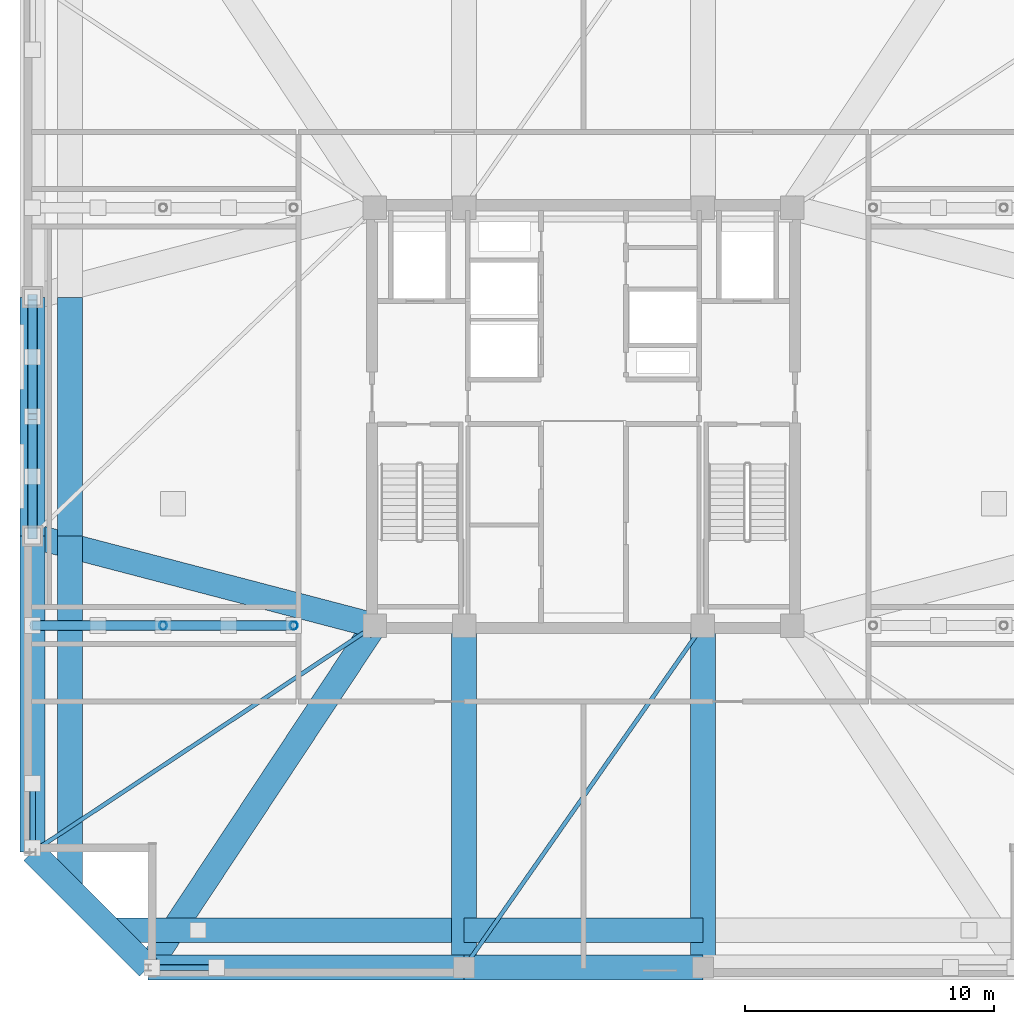
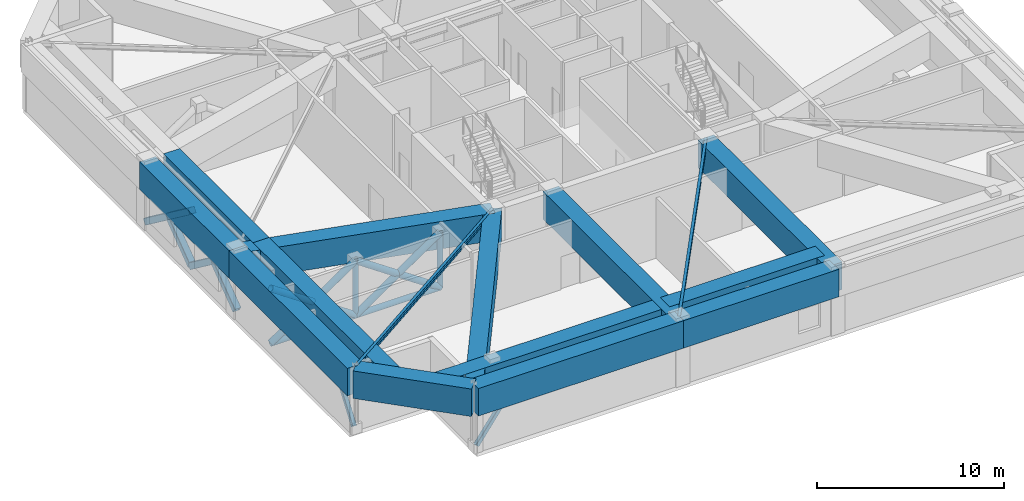
# One storey, part 6 of 17: 17 members, 15 beams.
"""IFC4 building model written with IfcOpenShell, lengths in metres."""

from ifc_helpers import new_model, si_unit, direction, frame, origin, origin_2d, place, context, subcontext, project, spatial, rectangle, hollow_rectangle, hollow_circle, i_section, extrude, material, material_profile, profile_set, type_object, element, save


model = new_model("IFC4")

# Units and contexts
model_context = context("Model", 3, precision=1e-05, world=origin(), true_north=direction((0.0, 1.0)))
body_context = subcontext(model_context, "Body", "Model", "MODEL_VIEW")
ifc_project = project(units=[si_unit("LENGTHUNIT", "METRE"), si_unit("AREAUNIT", "SQUARE_METRE"), si_unit("VOLUMEUNIT", "CUBIC_METRE"), si_unit("PLANEANGLEUNIT", "RADIAN"), si_unit("MASSUNIT", "GRAM", prefix="KILO")], contexts=[model_context])

# Site, building, storey
site_placement = place(None, origin())
site = spatial("IfcSite", under=ifc_project, at=site_placement, CompositionType="ELEMENT")
building_placement = place(site_placement, origin())
building = spatial("IfcBuilding", under=site, at=building_placement, Name="Cairnveth Concourse Tower", CompositionType="ELEMENT")
storey_placement = place(building_placement, frame((0.0, 0.0, 276.0)))
storey = spatial("IfcBuildingStorey", under=building, at=storey_placement, Name="L76", CompositionType="ELEMENT", Elevation=276.0)

# Members
ifc_material_1 = material(Name="Steel C350L0 (350 MPa)", Category="steel")
ifc_material_profile_1 = material_profile(ifc_material_1, hollow_circle(Radius=0.177734375, WallThickness=0.01611328125, at=origin_2d()), Name="355.6x16.0CHS")
ifc_profile_set_1 = profile_set([ifc_material_profile_1], Name="Steel C350L0 (350 MPa)")
member_type_1 = type_object("IfcMemberType", Name="BELT TRUSS CHORD 355.6X16CHS", PredefinedType="CHORD", material=ifc_profile_set_1)
member_1_placement = place(storey_placement, frame((29.85009765625, 30.60009765625, 0.25), z_axis=(1.0, 0.0, 0.0), x_axis=(0.0, 1.0, 0.0)))
element("IfcMember", 1, at=member_1_placement, inside=storey, type_object=member_type_1, Name="Structural Brace OUT-OW1A-CH L76", PredefinedType="CHORD", context=body_context, shape_type="SweptSolid", body=[
    extrude(hollow_circle(Radius=0.177734375, WallThickness=0.01611328125, at=origin_2d()), origin(), (0.0, 0.0, 1.0), 10.5),
])
ifc_material_profile_2 = material_profile(ifc_material_1, hollow_rectangle(XDim=0.39990234375, YDim=0.39990234375, WallThickness=0.01611328125, InnerFilletRadius=0.01611328125, OuterFilletRadius=0.031982421875, at=origin_2d()), Name="400x400x16.0SHS")
ifc_profile_set_2 = profile_set([ifc_material_profile_2], Name="Steel C350L0 (350 MPa)")
member_type_2 = type_object("IfcMemberType", Name="BELT TRUSS DIAGONAL 400X400X16SHS", PredefinedType="BRACE", material=ifc_profile_set_2)
member_2_placement = place(storey_placement, frame((29.85009765625, 34.199951171875, 0.25), z_axis=(0.0, 0.800795977004, 0.598937228109), x_axis=(-1.0, 0.0, 0.0)))
element("IfcMember", 2, at=member_2_placement, inside=storey, type_object=member_type_2, Name="Structural Brace BLT-BW1A L76", PredefinedType="BRACE", context=body_context, shape_type="SweptSolid", body=[
    extrude(hollow_rectangle(XDim=0.39990234375, YDim=0.39990234375, WallThickness=0.01611328125, InnerFilletRadius=0.01611328125, OuterFilletRadius=0.031982421875, at=origin_2d()), origin(), (0.0, 0.0, 1.0), 5.994140625),
])
for number, where, z_axis, x_axis, name in (
    (3, (29.85009765625, 39.0, 0.25), (0.0, -0.800814731391, 0.598912152145), (1.0, 0.0, 0.0), "Structural Brace BLT-BW1B1 L76"),
    (4, (29.85009765625, 36.587890625, 2.053955078125), (0.0, -0.800775463126, 0.598964654763), (1.0, 0.0, 0.0), "Structural Brace BLT-BW1B2 L76"),
):
    element("IfcMember", number, at=place(storey_placement, frame(where, z_axis=z_axis, x_axis=x_axis)), inside=storey, type_object=member_type_2, Name=name, PredefinedType="BRACE", context=body_context, shape_type="SweptSolid", body=[
        extrude(hollow_rectangle(XDim=0.39990234375, YDim=0.39990234375, WallThickness=0.01611328125, InnerFilletRadius=0.01611328125, OuterFilletRadius=0.031982421875, at=origin_2d()), origin(), (0.0, 0.0, 1.0), 2.98193359375),
    ])
member_3_placement = place(storey_placement, frame((29.85009765625, 39.0, 0.25), z_axis=(0.0, 0.800795977004, 0.598937228109), x_axis=(-1.0, 0.0, 0.0)))
element("IfcMember", 5, at=member_3_placement, inside=storey, type_object=member_type_2, Name="Structural Brace BLT-BW2A L76", PredefinedType="BRACE", context=body_context, shape_type="SweptSolid", body=[
    extrude(hollow_rectangle(XDim=0.39990234375, YDim=0.39990234375, WallThickness=0.01611328125, InnerFilletRadius=0.01611328125, OuterFilletRadius=0.031982421875, at=origin_2d()), origin(), (0.0, 0.0, 1.0), 5.994140625),
])
for number, where, z_axis, x_axis, name in (
    (6, (29.85009765625, 43.800048828125, 0.25), (0.0, -0.800814731391, 0.598912152145), (1.0, 0.0, 0.0), "Structural Brace BLT-BW2B1 L76"),
    (7, (29.85009765625, 41.387939453125, 2.053955078125), (0.0, -0.800775463126, 0.598964654763), (1.0, 0.0, 0.0), "Structural Brace BLT-BW2B2 L76"),
):
    element("IfcMember", number, at=place(storey_placement, frame(where, z_axis=z_axis, x_axis=x_axis)), inside=storey, type_object=member_type_2, Name=name, PredefinedType="BRACE", context=body_context, shape_type="SweptSolid", body=[
        extrude(hollow_rectangle(XDim=0.39990234375, YDim=0.39990234375, WallThickness=0.01611328125, InnerFilletRadius=0.01611328125, OuterFilletRadius=0.031982421875, at=origin_2d()), origin(), (0.0, 0.0, 1.0), 2.98193359375),
    ])

# Beams
ifc_material_2 = material(Name="Concrete N65 (65 MPa)", Category="concrete")
ifc_material_profile_3 = material_profile(ifc_material_2, rectangle(XDim=1.0, YDim=1.800048828125, at=origin_2d()), Name="RC-TB-1000x1800")
ifc_profile_set_3 = profile_set([ifc_material_profile_3], Name="Concrete N65 (65 MPa)")
beam_type_1 = type_object("IfcBeamType", Name="CONCRETE TRANSFER GIRDER 1000X1800", PredefinedType="BEAM", material=ifc_profile_set_3)
beam_1_placement = place(storey_placement, frame((34.5, 16.85009765625, 3.389892578125), z_axis=(1.0, 0.0, 0.0), x_axis=(0.0, 1.0, 0.0)))
element("IfcBeam", 8, at=beam_1_placement, inside=storey, type_object=beam_type_1, Name="Beam SP-S1 L76", PredefinedType="BEAM", context=body_context, shape_type="SweptSolid", body=[
    extrude(rectangle(XDim=1.0, YDim=1.800048828125, at=origin_2d()), origin(), (0.0, 0.0, 1.0), 12.699951171875),
])
beam_2_placement = place(storey_placement, frame((47.199951171875, 16.85009765625, 3.389892578125), z_axis=(1.0, 0.0, 0.0), x_axis=(0.0, 1.0, 0.0)))
element("IfcBeam", 9, at=beam_2_placement, inside=storey, type_object=beam_type_1, Name="Beam SP-S2 L76", PredefinedType="BEAM", context=body_context, shape_type="SweptSolid", body=[
    extrude(rectangle(XDim=1.0, YDim=1.800048828125, at=origin_2d()), origin(), (0.0, 0.0, 1.0), 9.60009765625),
])
beam_3_placement = place(storey_placement, frame((29.85009765625, 21.5, 3.389892578125), z_axis=(0.0, 1.0, 0.0), x_axis=(-1.0, 0.0, 0.0)))
element("IfcBeam", 10, at=beam_3_placement, inside=storey, type_object=beam_type_1, Name="Beam SP-W1 L76", PredefinedType="BEAM", context=body_context, shape_type="SweptSolid", body=[
    extrude(rectangle(XDim=1.0, YDim=1.800048828125, at=origin_2d()), origin(), (0.0, 0.0, 1.0), 12.699951171875),
])
beam_4_placement = place(storey_placement, frame((29.85009765625, 34.199951171875, 3.389892578125), z_axis=(0.0, 1.0, 0.0), x_axis=(-1.0, 0.0, 0.0)))
element("IfcBeam", 11, at=beam_4_placement, inside=storey, type_object=beam_type_1, Name="Beam SP-W2 L76", PredefinedType="BEAM", context=body_context, shape_type="SweptSolid", body=[
    extrude(rectangle(XDim=1.0, YDim=1.800048828125, at=origin_2d()), origin(), (0.0, 0.0, 1.0), 9.60009765625),
])
beam_5_placement = place(storey_placement, frame((29.85009765625, 21.5, 3.389892578125), z_axis=(0.707106781187, -0.707106781187, 0.0), x_axis=(0.707106781187, 0.707106781187, 0.0)))
element("IfcBeam", 12, at=beam_5_placement, inside=storey, type_object=beam_type_1, Name="Beam SP-SW L76", PredefinedType="BEAM", context=body_context, shape_type="SweptSolid", body=[
    extrude(rectangle(XDim=1.0, YDim=1.800048828125, at=origin_2d()), origin(), (0.0, 0.0, 1.0), 6.575927734375),
])
beam_6_placement = place(storey_placement, frame((34.5, 16.85009765625, 3.389892578125), z_axis=(0.551902031848, 0.833908956207, 0.0), x_axis=(-0.833908956207, 0.551902031848, 0.0)))
element("IfcBeam", 13, at=beam_6_placement, inside=storey, type_object=beam_type_1, Name="Beam RG-CSW L76", PredefinedType="BEAM", context=body_context, shape_type="SweptSolid", body=[
    extrude(rectangle(XDim=1.0, YDim=1.800048828125, at=origin_2d()), origin(), (0.0, 0.0, 1.0), 16.488525390625),
])
for number, where, z_axis, x_axis, name in (
    (14, (47.199951171875, 16.85009765625, 3.389892578125), (0.0, 1.0, 0.0), (-1.0, 0.0, 0.0), "Beam RG-S1 L76"),
    (15, (56.800048828125, 16.85009765625, 3.389892578125), (0.0, 1.0, 0.0), (-1.0, 0.0, 0.0), "Beam RG-S2 L76"),
):
    element("IfcBeam", number, at=place(storey_placement, frame(where, z_axis=z_axis, x_axis=x_axis)), inside=storey, type_object=beam_type_1, Name=name, PredefinedType="BEAM", context=body_context, shape_type="SweptSolid", body=[
        extrude(rectangle(XDim=1.0, YDim=1.800048828125, at=origin_2d()), origin(), (0.0, 0.0, 1.0), 13.75),
    ])
beam_7_placement = place(storey_placement, frame((29.85009765625, 34.199951171875, 3.389892578125), z_axis=(0.967395273598, -0.253271365575, 0.0), x_axis=(0.253271365575, 0.967395273598, 0.0)))
element("IfcBeam", 16, at=beam_7_placement, inside=storey, type_object=beam_type_1, Name="Beam RG-W1 L76", PredefinedType="BEAM", context=body_context, shape_type="SweptSolid", body=[
    extrude(rectangle(XDim=1.0, YDim=1.800048828125, at=origin_2d()), origin(), (0.0, 0.0, 1.0), 14.21337890625),
])
beam_8_placement = place(storey_placement, frame((33.0, 18.35009765625, 3.389892578125), z_axis=(1.0, 0.0, 0.0), x_axis=(0.0, 1.0, 0.0)))
element("IfcBeam", 17, at=beam_8_placement, inside=storey, type_object=beam_type_1, Name="Beam STG-S1 L76", PredefinedType="BEAM", context=body_context, shape_type="SweptSolid", body=[
    extrude(rectangle(XDim=1.0, YDim=1.800048828125, at=origin_2d()), origin(), (0.0, 0.0, 1.0), 14.199951171875),
])
beam_9_placement = place(storey_placement, frame((47.199951171875, 18.35009765625, 3.389892578125), z_axis=(1.0, 0.0, 0.0), x_axis=(0.0, 1.0, 0.0)))
element("IfcBeam", 18, at=beam_9_placement, inside=storey, type_object=beam_type_1, Name="Beam STG-S2 L76", PredefinedType="BEAM", context=body_context, shape_type="SweptSolid", body=[
    extrude(rectangle(XDim=1.0, YDim=1.800048828125, at=origin_2d()), origin(), (0.0, 0.0, 1.0), 9.60009765625),
])
beam_10_placement = place(storey_placement, frame((31.35009765625, 20.0, 3.389892578125), z_axis=(0.0, 1.0, 0.0), x_axis=(-1.0, 0.0, 0.0)))
element("IfcBeam", 19, at=beam_10_placement, inside=storey, type_object=beam_type_1, Name="Beam STG-W1 L76", PredefinedType="BEAM", context=body_context, shape_type="SweptSolid", body=[
    extrude(rectangle(XDim=1.0, YDim=1.800048828125, at=origin_2d()), origin(), (0.0, 0.0, 1.0), 14.199951171875),
])
beam_11_placement = place(storey_placement, frame((31.35009765625, 34.199951171875, 3.389892578125), z_axis=(0.0, 1.0, 0.0), x_axis=(-1.0, 0.0, 0.0)))
element("IfcBeam", 20, at=beam_11_placement, inside=storey, type_object=beam_type_1, Name="Beam STG-W2 L76", PredefinedType="BEAM", context=body_context, shape_type="SweptSolid", body=[
    extrude(rectangle(XDim=1.0, YDim=1.800048828125, at=origin_2d()), origin(), (0.0, 0.0, 1.0), 9.60009765625),
])

# Members
ifc_material_profile_4 = material_profile(ifc_material_1, hollow_circle(Radius=0.203125, WallThickness=0.01611328125, at=origin_2d()), Name="406.4x16.0CHS")
ifc_profile_set_4 = profile_set([ifc_material_profile_4], Name="Steel C350L0 (350 MPa)")
member_type_3 = type_object("IfcMemberType", Name="OUTRIGGER DIAGONAL 406.4X16CHS", PredefinedType="BRACE", material=ifc_profile_set_4)
member_4_placement = place(storey_placement, frame((29.85009765625, 30.60009765625, 0.25), z_axis=(0.825455055734, 0.0, 0.56446784759), x_axis=(0.0, 1.0, 0.0)))
element("IfcMember", 21, at=member_4_placement, inside=storey, type_object=member_type_3, Name="Structural Brace OUT-OW1A-P1A L76", PredefinedType="BRACE", context=body_context, shape_type="SweptSolid", body=[
    extrude(hollow_circle(Radius=0.203125, WallThickness=0.01611328125, at=origin_2d()), origin(), (0.0, 0.0, 1.0), 6.360107421875),
])
member_5_placement = place(storey_placement, frame((29.85009765625, 30.60009765625, 3.840087890625), z_axis=(0.825441572471, 0.0, -0.564487564465), x_axis=(0.0, 1.0, 0.0)))
element("IfcMember", 22, at=member_5_placement, inside=storey, type_object=member_type_3, Name="Structural Brace OUT-OW1A-P1B1 L76", PredefinedType="BRACE", context=body_context, shape_type="SweptSolid", body=[
    extrude(hollow_circle(Radius=0.203125, WallThickness=0.01611328125, at=origin_2d()), origin(), (0.0, 0.0, 1.0), 3.1650390625),
])
member_6_placement = place(storey_placement, frame((32.4873046875, 30.60009765625, 2.03662109375), z_axis=(0.825466149493, 0.0, -0.564451624181), x_axis=(0.0, 1.0, 0.0)))
element("IfcMember", 23, at=member_6_placement, inside=storey, type_object=member_type_3, Name="Structural Brace OUT-OW1A-P1B2 L76", PredefinedType="BRACE", context=body_context, shape_type="SweptSolid", body=[
    extrude(hollow_circle(Radius=0.203125, WallThickness=0.01611328125, at=origin_2d()), origin(), (0.0, 0.0, 1.0), 3.165283203125),
])
member_7_placement = place(storey_placement, frame((35.10009765625, 30.60009765625, 0.25), z_axis=(0.825455055734, 0.0, 0.56446784759), x_axis=(0.0, 1.0, 0.0)))
element("IfcMember", 24, at=member_7_placement, inside=storey, type_object=member_type_3, Name="Structural Brace OUT-OW1A-P2A L76", PredefinedType="BRACE", context=body_context, shape_type="SweptSolid", body=[
    extrude(hollow_circle(Radius=0.203125, WallThickness=0.01611328125, at=origin_2d()), origin(), (0.0, 0.0, 1.0), 6.360107421875),
])
member_8_placement = place(storey_placement, frame((35.10009765625, 30.60009765625, 3.840087890625), z_axis=(0.825441572471, 0.0, -0.564487564465), x_axis=(0.0, 1.0, 0.0)))
element("IfcMember", 25, at=member_8_placement, inside=storey, type_object=member_type_3, Name="Structural Brace OUT-OW1A-P2B1 L76", PredefinedType="BRACE", context=body_context, shape_type="SweptSolid", body=[
    extrude(hollow_circle(Radius=0.203125, WallThickness=0.01611328125, at=origin_2d()), origin(), (0.0, 0.0, 1.0), 3.1650390625),
])
member_9_placement = place(storey_placement, frame((37.7373046875, 30.60009765625, 2.03662109375), z_axis=(0.825466149493, 0.0, -0.564451624181), x_axis=(0.0, 1.0, 0.0)))
element("IfcMember", 26, at=member_9_placement, inside=storey, type_object=member_type_3, Name="Structural Brace OUT-OW1A-P2B2 L76", PredefinedType="BRACE", context=body_context, shape_type="SweptSolid", body=[
    extrude(hollow_circle(Radius=0.203125, WallThickness=0.01611328125, at=origin_2d()), origin(), (0.0, 0.0, 1.0), 3.165283203125),
])
ifc_material_profile_5 = material_profile(ifc_material_1, hollow_circle(Radius=0.161865234375, WallThickness=0.0126953125, at=origin_2d()), Name="323.9x12.7CHS")
ifc_profile_set_5 = profile_set([ifc_material_profile_5], Name="Steel C350L0 (350 MPa)")
member_type_4 = type_object("IfcMemberType", Name="OUTRIGGER KING STRUT 323.9X12.7CHS", PredefinedType="STRUT", material=ifc_profile_set_5)
for number, where, z_axis, x_axis, name in (
    (27, (35.10009765625, 30.60009765625, 0.25), (0.0, 0.0, 1.0), (1.0, 0.0, 0.0), "Structural Brace OUT-OW1A-SR L76"),
    (28, (40.35009765625, 30.60009765625, 0.25), (0.0, 0.0, 1.0), (1.0, 0.0, 0.0), "Structural Brace OUT-OW1A-SRE L76"),
):
    element("IfcMember", number, at=place(storey_placement, frame(where, z_axis=z_axis, x_axis=x_axis)), inside=storey, type_object=member_type_4, Name=name, PredefinedType="STRUT", context=body_context, shape_type="SweptSolid", body=[
        extrude(hollow_circle(Radius=0.161865234375, WallThickness=0.0126953125, at=origin_2d()), origin(), (0.0, 0.0, 1.0), 3.590087890625),
    ])

# Beams
ifc_material_3 = material(Name="Steel Grade 350", Category="steel")
ifc_material_profile_6 = material_profile(ifc_material_3, i_section(OverallWidth=0.166015625, OverallDepth=0.306884765625, WebThickness=0.006591796875, FlangeThickness=0.01171875, FilletRadius=0.010986328125, at=origin_2d()), Name="310UB46.2")
ifc_profile_set_6 = profile_set([ifc_material_profile_6], Name="Steel Grade 350")
beam_type_2 = type_object("IfcBeamType", Name="ZONE 3 FLOOR JOIST 310UB46.2", PredefinedType="JOIST", material=ifc_profile_set_6)
beam_12_placement = place(storey_placement, frame((29.85009765625, 21.5, 4.136474609375), z_axis=(0.833908956207, 0.551902031848, 0.0), x_axis=(-0.551902031848, 0.833908956207, 0.0)))
element("IfcBeam", 29, at=beam_12_placement, inside=storey, type_object=beam_type_2, Name="Beam FJ-CSW2 L76", PredefinedType="JOIST", context=body_context, shape_type="SweptSolid", body=[
    extrude(i_section(OverallWidth=0.166015625, OverallDepth=0.306884765625, WebThickness=0.006591796875, FlangeThickness=0.01171875, FilletRadius=0.010986328125, at=origin_2d()), origin(), (0.0, 0.0, 1.0), 16.488525390625),
])
beam_13_placement = place(storey_placement, frame((47.199951171875, 16.85009765625, 4.136474609375), z_axis=(0.572465304893, 0.819928944905, 0.0), x_axis=(-0.819928944905, 0.572465304893, 0.0)))
element("IfcBeam", 30, at=beam_13_placement, inside=storey, type_object=beam_type_2, Name="Beam FJ-S-M1 L76", PredefinedType="JOIST", context=body_context, shape_type="SweptSolid", body=[
    extrude(i_section(OverallWidth=0.166015625, OverallDepth=0.306884765625, WebThickness=0.006591796875, FlangeThickness=0.01171875, FilletRadius=0.010986328125, at=origin_2d()), origin(), (0.0, 0.0, 1.0), 16.769775390625),
])

# Members
ifc_material_profile_7 = material_profile(ifc_material_1, hollow_rectangle(XDim=0.25, YDim=0.25, WallThickness=0.012451171875, InnerFilletRadius=0.012939453125, OuterFilletRadius=0.02490234375, at=origin_2d()), Name="250x250x12.5SHS")
ifc_profile_set_7 = profile_set([ifc_material_profile_7], Name="Steel C350L0 (350 MPa)")
member_type_5 = type_object("IfcMemberType", Name="ZONE 3 PIER BRACE 250X250X12.5SHS", PredefinedType="BRACE", material=ifc_profile_set_7)
for number, where, z_axis, x_axis, name in (
    (31, (34.64990234375, 16.85009765625, 0.25), (0.586565875469, 0.0, 0.809901521011), (0.0, 1.0, 0.0), "Structural Brace PB-S1 L76"),
    (32, (29.85009765625, 21.64990234375, 0.25), (0.0, 0.586565875469, 0.809901521011), (-1.0, 0.0, 0.0), "Structural Brace PB-W1 L76"),
):
    element("IfcMember", number, at=place(storey_placement, frame(where, z_axis=z_axis, x_axis=x_axis)), inside=storey, type_object=member_type_5, Name=name, PredefinedType="BRACE", context=body_context, shape_type="SweptSolid", body=[
        extrude(hollow_rectangle(XDim=0.25, YDim=0.25, WallThickness=0.012451171875, InnerFilletRadius=0.012939453125, OuterFilletRadius=0.02490234375, at=origin_2d()), origin(), (0.0, 0.0, 1.0), 4.432861328125),
    ])

save(model, "model.ifc")
